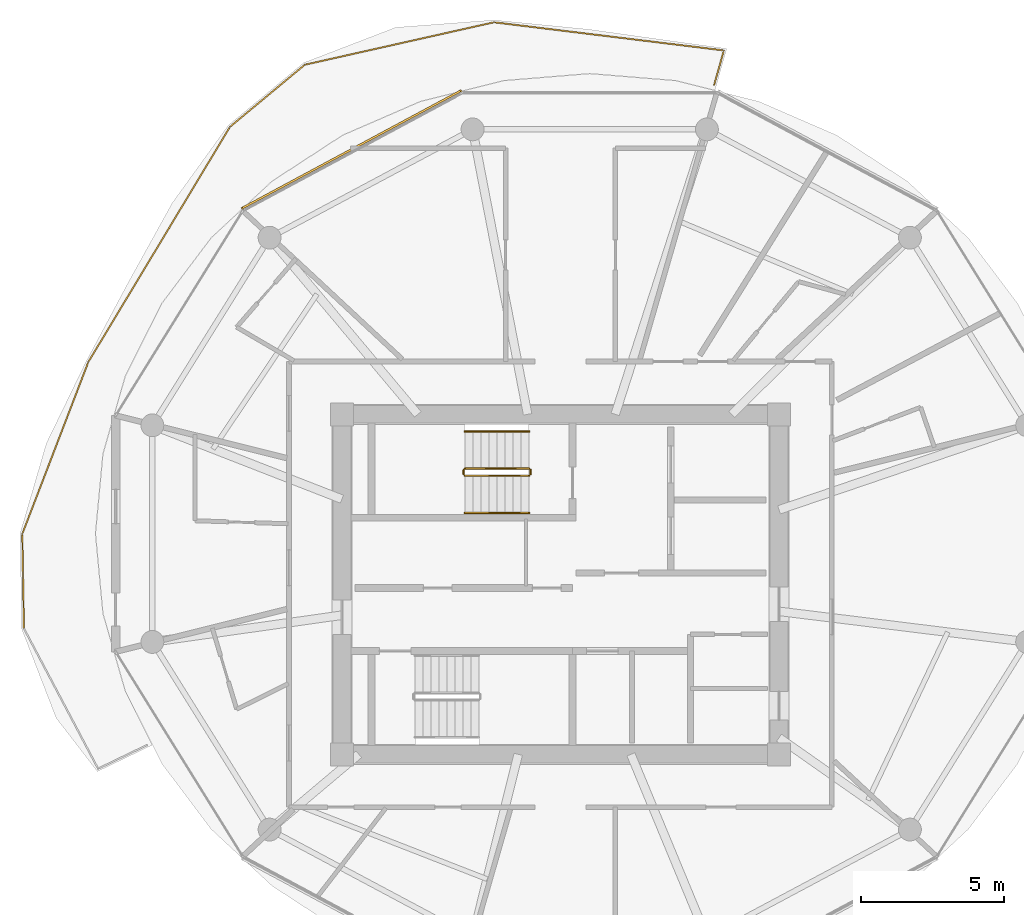
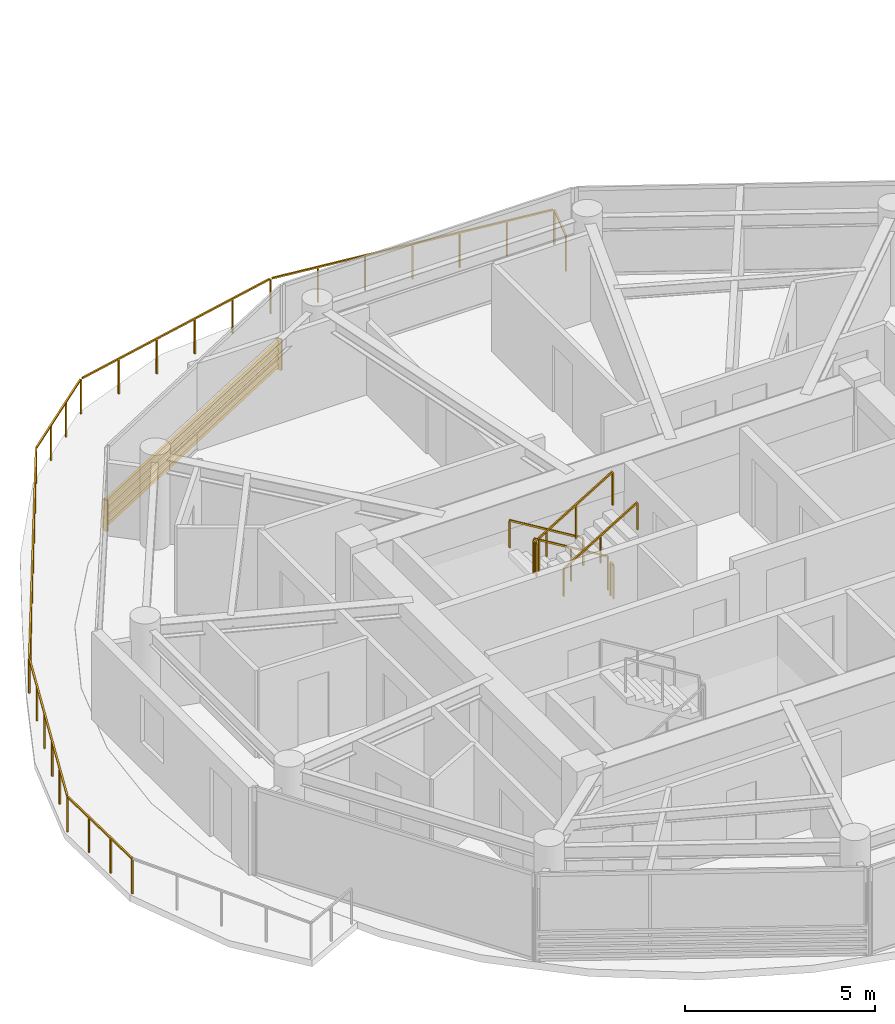
# One storey, part 20 of 22: 7 railings, 1 shading device.
"""IFC4 building model written with IfcOpenShell, lengths in metres."""

from ifc_helpers import new_model, si_unit, direction, frame, origin, origin_2d, place, context, subcontext, project, spatial, rectangle, extrude, source, transform, mapped, material, type_object, type_shapes, element, save


model = new_model("IFC4")

# Units and contexts
model_context = context("Model", 3, precision=1e-05, world=origin(), true_north=direction((0.0, 1.0)))
body_context = subcontext(model_context, "Body", "Model", "MODEL_VIEW")
ifc_project = project(units=[si_unit("LENGTHUNIT", "METRE"), si_unit("AREAUNIT", "SQUARE_METRE"), si_unit("VOLUMEUNIT", "CUBIC_METRE"), si_unit("PLANEANGLEUNIT", "RADIAN"), si_unit("MASSUNIT", "GRAM", prefix="KILO")], contexts=[model_context])

# Site, building, storey
site_placement = place(None, origin())
site = spatial("IfcSite", under=ifc_project, at=site_placement, CompositionType="ELEMENT")
building_placement = place(site_placement, origin())
building = spatial("IfcBuilding", under=site, at=building_placement, Name="Norrkilde Senior Care Towers", CompositionType="ELEMENT")
storey_placement = place(building_placement, frame((0.0, 0.0, 152.60009765625)))
storey = spatial("IfcBuildingStorey", under=building, at=storey_placement, Name="L47", CompositionType="ELEMENT", Elevation=152.60009765625)

# Railings
ifc_material_1 = material(Name="Anodised Aluminium", Category="aluminium")
railing_type_1 = type_object("IfcRailingType", Name="Balcony Swirl Ribbon Guardrail 1150", PredefinedType="GUARDRAIL", material=ifc_material_1)
railing_1_placement = place(storey_placement, frame((-46.78125, -1.544677734375, 0.0)))
element("IfcRailing", 1, at=railing_1_placement, inside=storey, type_object=railing_type_1, Name="L47 Perimeter Safety Guard 03", PredefinedType="GUARDRAIL", context=body_context, shape_type="SweptSolid", body=[
    extrude(rectangle(XDim=0.048095703125, YDim=0.048095703125, at=origin_2d()), frame((0.0, 0.0, 1.1259765625), z_axis=(-0.017260430872, 0.999851027667, 0.0), x_axis=(-0.999851027667, -0.017260430872, 0.0)), (0.0, 0.0, 1.0), 3.26904296875),
    extrude(rectangle(XDim=0.048095703125, YDim=0.048095703125, at=origin_2d()), frame((-0.04248046875, 3.347412109375, 1.1259765625), z_axis=(0.358618560037, 0.933484187545, 0.0), x_axis=(-0.933484187545, 0.358618560037, 0.0)), (0.0, 0.0, 1.0), 6.362548828125),
    extrude(rectangle(XDim=0.048095703125, YDim=0.048095703125, at=origin_2d()), frame((2.27490234375, 9.35986328125, 1.1259765625), z_axis=(0.515895656347, 0.856651429557, 0.0), x_axis=(-0.856651429557, 0.515895656347, 0.0)), (0.0, 0.0, 1.0), 9.531005859375),
    extrude(rectangle(XDim=0.048095703125, YDim=0.048095703125, at=origin_2d()), frame((7.24462890625, 17.5859375, 1.1259765625), z_axis=(0.769659942746, 0.638454048881, 0.0), x_axis=(-0.638454048881, 0.769659942746, 0.0)), (0.0, 0.0, 1.0), 3.321533203125),
    extrude(rectangle(XDim=0.048095703125, YDim=0.048095703125, at=origin_2d()), frame((9.872314453125, 19.74169921875, 1.1259765625), z_axis=(0.975718292331, 0.219029253777, 0.0), x_axis=(-0.219029253777, 0.975718292331, 0.0)), (0.0, 0.0, 1.0), 6.703125),
    extrude(rectangle(XDim=0.048095703125, YDim=0.048095703125, at=origin_2d()), frame((16.4931640625, 21.2138671875, 1.1259765625), z_axis=(0.99259283651, -0.121488521713, 0.0), x_axis=(0.121488521713, 0.99259283651, 0.0)), (0.0, 0.0, 1.0), 8.02685546875),
    extrude(rectangle(XDim=0.048095703125, YDim=0.048095703125, at=origin_2d()), frame((24.489990234375, 20.1943359375, 1.1259765625), z_axis=(-0.271820102448, -0.962348082507, 0.0), x_axis=(0.962348082507, -0.271820102448, 0.0)), (0.0, 0.0, 1.0), 1.215576171875),
    extrude(rectangle(XDim=0.0419921875, YDim=0.0419921875, at=origin_2d()), origin(), (0.0, 0.0, 1.0), 1.099853515625),
    extrude(rectangle(XDim=0.0419921875, YDim=0.0419921875, at=origin_2d()), frame((-0.01904296875, 1.10302734375, 0.0)), (0.0, 0.0, 1.0), 1.099853515625),
    extrude(rectangle(XDim=0.0419921875, YDim=0.0419921875, at=origin_2d()), frame((-0.0380859375, 2.206298828125, 0.0)), (0.0, 0.0, 1.0), 1.099853515625),
    extrude(rectangle(XDim=0.0419921875, YDim=0.0419921875, at=origin_2d()), frame((-0.05712890625, 3.309326171875, 0.0)), (0.0, 0.0, 1.0), 1.099853515625),
    extrude(rectangle(XDim=0.0419921875, YDim=0.0419921875, at=origin_2d()), frame((0.405029296875, 4.512451171875, 0.0)), (0.0, 0.0, 1.0), 1.099853515625),
    extrude(rectangle(XDim=0.0419921875, YDim=0.0419921875, at=origin_2d()), frame((0.8671875, 5.715576171875, 0.0)), (0.0, 0.0, 1.0), 1.099853515625),
    extrude(rectangle(XDim=0.0419921875, YDim=0.0419921875, at=origin_2d()), frame((1.32958984375, 6.918701171875, 0.0)), (0.0, 0.0, 1.0), 1.099853515625),
    extrude(rectangle(XDim=0.0419921875, YDim=0.0419921875, at=origin_2d()), frame((1.791748046875, 8.121826171875, 0.0)), (0.0, 0.0, 1.0), 1.099853515625),
    extrude(rectangle(XDim=0.0419921875, YDim=0.0419921875, at=origin_2d()), frame((2.25390625, 9.324951171875, 0.0)), (0.0, 0.0, 1.0), 1.099853515625),
    extrude(rectangle(XDim=0.0419921875, YDim=0.0419921875, at=origin_2d()), frame((2.96240234375, 10.50146484375, 0.0)), (0.0, 0.0, 1.0), 1.099853515625),
    extrude(rectangle(XDim=0.0419921875, YDim=0.0419921875, at=origin_2d()), frame((3.6708984375, 11.677734375, 0.0)), (0.0, 0.0, 1.0), 1.099853515625),
    extrude(rectangle(XDim=0.0419921875, YDim=0.0419921875, at=origin_2d()), frame((4.37939453125, 12.854248046875, 0.0)), (0.0, 0.0, 1.0), 1.099853515625),
    extrude(rectangle(XDim=0.0419921875, YDim=0.0419921875, at=origin_2d()), frame((5.087646484375, 14.030517578125, 0.0)), (0.0, 0.0, 1.0), 1.099853515625),
    extrude(rectangle(XDim=0.0419921875, YDim=0.0419921875, at=origin_2d()), frame((5.796142578125, 15.20703125, 0.0)), (0.0, 0.0, 1.0), 1.099853515625),
    extrude(rectangle(XDim=0.0419921875, YDim=0.0419921875, at=origin_2d()), frame((6.504638671875, 16.38330078125, 0.0)), (0.0, 0.0, 1.0), 1.099853515625),
    extrude(rectangle(XDim=0.0419921875, YDim=0.0419921875, at=origin_2d()), frame((7.213134765625, 17.559814453125, 0.0)), (0.0, 0.0, 1.0), 1.099853515625),
    extrude(rectangle(XDim=0.0419921875, YDim=0.0419921875, at=origin_2d()), frame((8.086181640625, 18.2841796875, 0.0)), (0.0, 0.0, 1.0), 1.099853515625),
    extrude(rectangle(XDim=0.0419921875, YDim=0.0419921875, at=origin_2d()), frame((8.95947265625, 19.00830078125, 0.0)), (0.0, 0.0, 1.0), 1.099853515625),
    extrude(rectangle(XDim=0.0419921875, YDim=0.0419921875, at=origin_2d()), frame((9.83251953125, 19.732666015625, 0.0)), (0.0, 0.0, 1.0), 1.099853515625),
    extrude(rectangle(XDim=0.0419921875, YDim=0.0419921875, at=origin_2d()), frame((11.156494140625, 20.02978515625, 0.0)), (0.0, 0.0, 1.0), 1.099853515625),
    extrude(rectangle(XDim=0.0419921875, YDim=0.0419921875, at=origin_2d()), frame((12.48046875, 20.3271484375, 0.0)), (0.0, 0.0, 1.0), 1.099853515625),
    extrude(rectangle(XDim=0.0419921875, YDim=0.0419921875, at=origin_2d()), frame((13.8046875, 20.624267578125, 0.0)), (0.0, 0.0, 1.0), 1.099853515625),
    extrude(rectangle(XDim=0.0419921875, YDim=0.0419921875, at=origin_2d()), frame((15.128662109375, 20.921630859375, 0.0)), (0.0, 0.0, 1.0), 1.099853515625),
    extrude(rectangle(XDim=0.0419921875, YDim=0.0419921875, at=origin_2d()), frame((16.45263671875, 21.21875, 0.0)), (0.0, 0.0, 1.0), 1.099853515625),
    extrude(rectangle(XDim=0.0419921875, YDim=0.0419921875, at=origin_2d()), frame((17.7939453125, 21.0546875, 0.0)), (0.0, 0.0, 1.0), 1.099853515625),
    extrude(rectangle(XDim=0.0419921875, YDim=0.0419921875, at=origin_2d()), frame((19.135498046875, 20.890380859375, 0.0)), (0.0, 0.0, 1.0), 1.099853515625),
    extrude(rectangle(XDim=0.0419921875, YDim=0.0419921875, at=origin_2d()), frame((20.47705078125, 20.72607421875, 0.0)), (0.0, 0.0, 1.0), 1.099853515625),
    extrude(rectangle(XDim=0.0419921875, YDim=0.0419921875, at=origin_2d()), frame((21.818359375, 20.56201171875, 0.0)), (0.0, 0.0, 1.0), 1.099853515625),
    extrude(rectangle(XDim=0.0419921875, YDim=0.0419921875, at=origin_2d()), frame((23.15966796875, 20.39794921875, 0.0)), (0.0, 0.0, 1.0), 1.099853515625),
    extrude(rectangle(XDim=0.0419921875, YDim=0.0419921875, at=origin_2d()), frame((24.501220703125, 20.233642578125, 0.0)), (0.0, 0.0, 1.0), 1.099853515625),
    extrude(rectangle(XDim=0.0419921875, YDim=0.0419921875, at=origin_2d()), frame((24.15966796875, 19.0244140625, 0.0)), (0.0, 0.0, 1.0), 1.099853515625),
])
ifc_material_2 = material(Name="Stainless Steel", Category="steel")
railing_type_2 = type_object("IfcRailingType", Name="Stair and Terrace Guardrail 1100", PredefinedType="GUARDRAIL", material=ifc_material_2)
railing_2_placement = place(storey_placement, frame((-29.10009765625, 4.050048828125, 0.16943359375)))
element("IfcRailing", 2, at=railing_2_placement, inside=storey, type_object=railing_type_2, Name="L47 ST-W1 stair guard 1", PredefinedType="GUARDRAIL", context=body_context, shape_type="SweptSolid", body=[
    extrude(rectangle(XDim=0.048095703125, YDim=0.048095703125, at=origin_2d()), frame((0.0, 0.0, 1.076171875), z_axis=(-0.855553338991, 0.0, 0.51771467445), x_axis=(0.0, -1.0, 0.0)), (0.0, 0.0, 1.0), 2.6181640625),
    extrude(rectangle(XDim=0.0419921875, YDim=0.0419921875, at=origin_2d()), origin(), (0.0, 0.0, 1.0), 1.050048828125),
    extrude(rectangle(XDim=0.0419921875, YDim=0.0419921875, at=origin_2d()), frame((-1.1201171875, 0.0, 0.677734375)), (0.0, 0.0, 1.0), 1.050048828125),
    extrude(rectangle(XDim=0.0419921875, YDim=0.0419921875, at=origin_2d()), frame((-2.239990234375, 0.0, 1.35546875)), (0.0, 0.0, 1.0), 1.050048828125),
])
railing_3_placement = place(storey_placement, frame((-31.389892578125, 4.0, 1.52490234375)))
element("IfcRailing", 3, at=railing_3_placement, inside=storey, type_object=railing_type_2, Name="L47 ST-W1 stair guard 2", PredefinedType="GUARDRAIL", context=body_context, shape_type="SweptSolid", body=[
    extrude(rectangle(XDim=0.048095703125, YDim=0.048095703125, at=origin_2d()), frame((0.0, 0.0, 1.076171875), z_axis=(0.0, -1.0, 0.0), x_axis=(1.0, 0.0, 0.0)), (0.0, 0.0, 1.0), 0.14990234375),
    extrude(rectangle(XDim=0.0419921875, YDim=0.0419921875, at=origin_2d()), origin(), (0.0, 0.0, 1.0), 1.050048828125),
    extrude(rectangle(XDim=0.0419921875, YDim=0.0419921875, at=origin_2d()), frame((0.0, -0.14990234375, 0.0)), (0.0, 0.0, 1.0), 1.050048828125),
])
railing_4_placement = place(storey_placement, frame((-31.340087890625, 3.800048828125, 1.6943359375)))
element("IfcRailing", 4, at=railing_4_placement, inside=storey, type_object=railing_type_2, Name="L47 ST-W1 stair guard 3", PredefinedType="GUARDRAIL", context=body_context, shape_type="SweptSolid", body=[
    extrude(rectangle(XDim=0.048095703125, YDim=0.048095703125, at=origin_2d()), frame((0.0, 0.0, 1.076171875), z_axis=(0.855553338991, 0.0, 0.51771467445), x_axis=(0.0, 1.0, 0.0)), (0.0, 0.0, 1.0), 2.6181640625),
    extrude(rectangle(XDim=0.0419921875, YDim=0.0419921875, at=origin_2d()), origin(), (0.0, 0.0, 1.0), 1.050048828125),
    extrude(rectangle(XDim=0.0419921875, YDim=0.0419921875, at=origin_2d()), frame((1.1201171875, 0.0, 0.677734375)), (0.0, 0.0, 1.0), 1.050048828125),
    extrude(rectangle(XDim=0.0419921875, YDim=0.0419921875, at=origin_2d()), frame((2.239990234375, 0.0, 1.35546875)), (0.0, 0.0, 1.0), 1.050048828125),
])
railing_5_placement = place(storey_placement, frame((-29.050048828125, 4.0, 0.0)))
element("IfcRailing", 5, at=railing_5_placement, inside=storey, type_object=railing_type_2, Name="L47 ST-W1 stair guard 4", PredefinedType="GUARDRAIL", context=body_context, shape_type="SweptSolid", body=[
    extrude(rectangle(XDim=0.048095703125, YDim=0.048095703125, at=origin_2d()), frame((0.0, 0.0, 1.076171875), z_axis=(0.0, -1.0, 0.0), x_axis=(1.0, 0.0, 0.0)), (0.0, 0.0, 1.0), 0.14990234375),
    extrude(rectangle(XDim=0.0419921875, YDim=0.0419921875, at=origin_2d()), origin(), (0.0, 0.0, 1.0), 1.050048828125),
    extrude(rectangle(XDim=0.0419921875, YDim=0.0419921875, at=origin_2d()), frame((0.0, -0.14990234375, 0.0)), (0.0, 0.0, 1.0), 1.050048828125),
])
ifc_material_3 = material(Name="Nordic Ash Timber", Category="wood")
railing_type_3 = type_object("IfcRailingType", Name="Wall and Stair Handrail 900", PredefinedType="HANDRAIL", material=ifc_material_3)
railing_6_placement = place(storey_placement, frame((-29.10009765625, 5.35009765625, 0.16943359375)))
element("IfcRailing", 6, at=railing_6_placement, inside=storey, type_object=railing_type_3, Name="L47 ST-W1 stair handrail 1", PredefinedType="HANDRAIL", context=body_context, shape_type="SweptSolid", body=[
    extrude(rectangle(XDim=0.048095703125, YDim=0.048095703125, at=origin_2d()), frame((0.0, 0.0, 0.8759765625), z_axis=(-0.855553338991, 0.0, 0.51771467445), x_axis=(0.0, -1.0, 0.0)), (0.0, 0.0, 1.0), 2.6181640625),
    extrude(rectangle(XDim=0.0419921875, YDim=0.0419921875, at=origin_2d()), origin(), (0.0, 0.0, 1.0), 0.849853515625),
    extrude(rectangle(XDim=0.0419921875, YDim=0.0419921875, at=origin_2d()), frame((-1.1201171875, 0.0, 0.677734375)), (0.0, 0.0, 1.0), 0.849853515625),
    extrude(rectangle(XDim=0.0419921875, YDim=0.0419921875, at=origin_2d()), frame((-2.239990234375, 0.0, 1.35546875)), (0.0, 0.0, 1.0), 0.849853515625),
])
railing_7_placement = place(storey_placement, frame((-31.340087890625, 2.5, 1.6943359375)))
element("IfcRailing", 7, at=railing_7_placement, inside=storey, type_object=railing_type_3, Name="L47 ST-W1 stair handrail 2", PredefinedType="HANDRAIL", context=body_context, shape_type="SweptSolid", body=[
    extrude(rectangle(XDim=0.048095703125, YDim=0.048095703125, at=origin_2d()), frame((0.0, 0.0, 0.8759765625), z_axis=(0.855553338991, 0.0, 0.51771467445), x_axis=(0.0, 1.0, 0.0)), (0.0, 0.0, 1.0), 2.6181640625),
    extrude(rectangle(XDim=0.0419921875, YDim=0.0419921875, at=origin_2d()), origin(), (0.0, 0.0, 1.0), 0.849853515625),
    extrude(rectangle(XDim=0.0419921875, YDim=0.0419921875, at=origin_2d()), frame((1.1201171875, 0.0, 0.677734375)), (0.0, 0.0, 1.0), 0.849853515625),
    extrude(rectangle(XDim=0.0419921875, YDim=0.0419921875, at=origin_2d()), frame((2.239990234375, 0.0, 1.35546875)), (0.0, 0.0, 1.0), 0.849853515625),
])

# Shading device
ifc_material_4 = material(Name="Architectural Terracotta", Category="masonry")
shading_device_type = type_object("IfcShadingDeviceType", Name="Horizontal Terracotta Baguette Rack", PredefinedType="USERDEFINED", material=ifc_material_4)
shared_shape = source(origin(), body_context, "Body", "SweptSolid", [
    extrude(rectangle(XDim=0.070068359375, YDim=0.110107421875, at=origin_2d()), frame((0.0, 0.090087890625, 0.125), z_axis=(1.0, 0.0, 0.0), x_axis=(0.0, 1.0, 0.0)), (0.0, 0.0, 1.0), 8.74169921875),
    extrude(rectangle(XDim=0.070068359375, YDim=0.110107421875, at=origin_2d()), frame((0.0, 0.090087890625, 0.375), z_axis=(1.0, 0.0, 0.0), x_axis=(0.0, 1.0, 0.0)), (0.0, 0.0, 1.0), 8.74169921875),
    extrude(rectangle(XDim=0.070068359375, YDim=0.110107421875, at=origin_2d()), frame((0.0, 0.090087890625, 0.625), z_axis=(1.0, 0.0, 0.0), x_axis=(0.0, 1.0, 0.0)), (0.0, 0.0, 1.0), 8.74169921875),
    extrude(rectangle(XDim=0.070068359375, YDim=0.110107421875, at=origin_2d()), frame((0.0, 0.090087890625, 0.875), z_axis=(1.0, 0.0, 0.0), x_axis=(0.0, 1.0, 0.0)), (0.0, 0.0, 1.0), 8.74169921875),
    extrude(rectangle(XDim=0.050048828125, YDim=0.1552734375, at=origin_2d()), frame((0.02490234375, 0.047607421875, 0.0)), (0.0, 0.0, 1.0), 1.0),
    extrude(rectangle(XDim=0.050048828125, YDim=0.1552734375, at=origin_2d()), frame((8.716796875, 0.047607421875, 0.0)), (0.0, 0.0, 1.0), 1.0),
])
type_shapes(shading_device_type, [shared_shape])
shading_device_placement = place(storey_placement, frame((-39.123046875, 13.074951171875, 0.079833984375), z_axis=(0.0, 0.0, 1.0), x_axis=(0.880997598168, 0.47313299447, 0.0)))
element("IfcShadingDevice", 8, at=shading_device_placement, inside=storey, type_object=shading_device_type, Name="L47 Drum W Terracotta Baguette Screen 03", ObjectType="BAGUETTE", PredefinedType="USERDEFINED", context=body_context, shape_type="MappedRepresentation", body=[
    mapped(shared_shape, transform((0.0, 0.0, 0.0), x_axis=(1.0, 0.0, 0.0), y_axis=(0.0, 1.0, 0.0), z_axis=(0.0, 0.0, 1.0), scale=1.0)),
])

save(model, "model.ifc")
